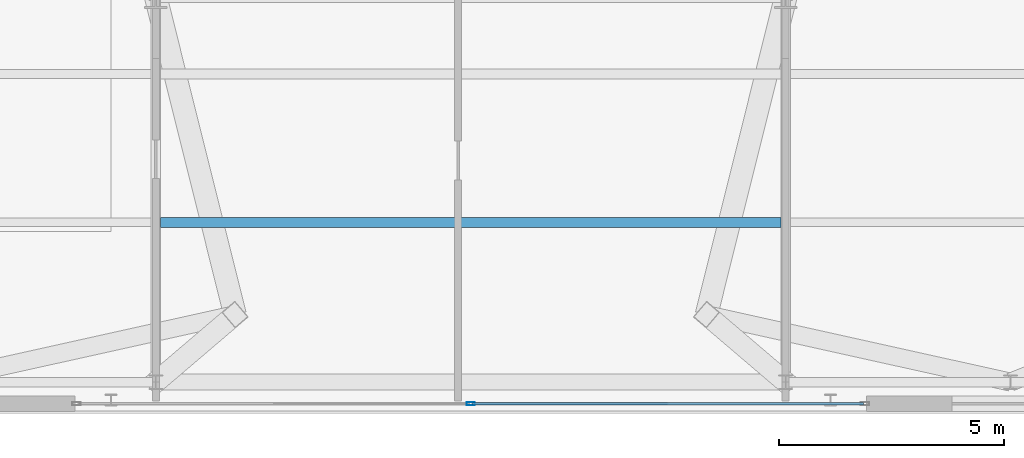
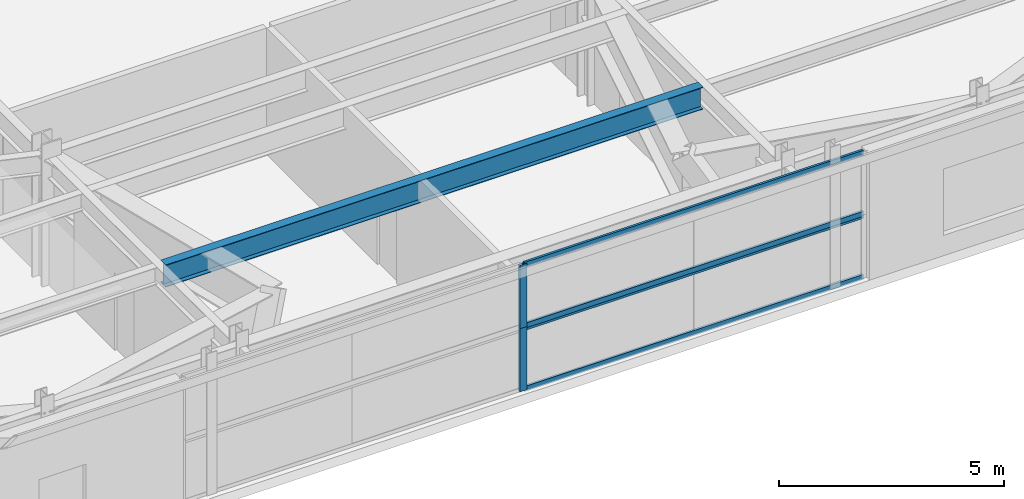
# One storey, part 11 of 27: 6 members, 1 beam, 2 elements without a shape of their own.
"""IFC4 building model written with IfcOpenShell, lengths in metres."""

from ifc_helpers import new_model, si_unit, direction, frame, origin, origin_2d, place, context, subcontext, project, spatial, hollow_rectangle, i_section, extrude, source, transform, mapped, material, layer, layer_set, material_profile, profile_set, type_object, element, aggregate, save


model = new_model("IFC4")

# Units and contexts
model_context = context("Model", 3, precision=1e-05, world=origin(), true_north=direction((0.0, 1.0)))
body_context = subcontext(model_context, "Body", "Model", "MODEL_VIEW")
ifc_project = project(units=[si_unit("LENGTHUNIT", "METRE"), si_unit("AREAUNIT", "SQUARE_METRE"), si_unit("VOLUMEUNIT", "CUBIC_METRE"), si_unit("PLANEANGLEUNIT", "RADIAN"), si_unit("MASSUNIT", "GRAM", prefix="KILO")], contexts=[model_context])

# Site, building, storey
site_placement = place(None, origin())
site = spatial("IfcSite", under=ifc_project, at=site_placement, CompositionType="ELEMENT")
building_placement = place(site_placement, origin())
building = spatial("IfcBuilding", under=site, at=building_placement, Name="Taldren Reach Tower", CompositionType="ELEMENT")
storey_placement = place(building_placement, frame((0.0, 0.0, 12.949951171875)))
storey = spatial("IfcBuildingStorey", under=building, at=storey_placement, Name="L03", CompositionType="ELEMENT", Elevation=12.949951171875)

# Beam
ifc_material_1 = material(Name="Steel Gr 350 (350PLUS)", Category="steel")
ifc_material_profile_1 = material_profile(ifc_material_1, i_section(OverallWidth=0.22802734375, OverallDepth=0.60205078125, WebThickness=0.010498046875, FlangeThickness=0.014892578125, at=origin_2d()), Name="610UB101")
ifc_profile_set_1 = profile_set([ifc_material_profile_1], Name="Steel Gr 350 (350PLUS)")
beam_type = type_object("IfcBeamType", Name="BM-UB610B", PredefinedType="BEAM", material=ifc_profile_set_1)
shared_shape_1 = source(origin(), body_context, "Body", "SweptSolid", [
    extrude(i_section(OverallWidth=0.22802734375, OverallDepth=0.60205078125, WebThickness=0.010498046875, FlangeThickness=0.014892578125, at=origin_2d()), origin(), (0.0, 0.0, 1.0), 13.791015625),
])
beam_placement = place(storey_placement, frame((28.1044921875, 4.199951171875, 3.129150390625), z_axis=(1.0, 0.0, 0.0), x_axis=(0.0, 1.0, 0.0)))
element("IfcBeam", 1, at=beam_placement, inside=storey, type_object=beam_type, Name="Podium composite floor beam L03-1.2", PredefinedType="BEAM", context=body_context, shape_type="MappedRepresentation", body=[
    mapped(shared_shape_1, transform((0.0, 0.0, 0.0), scale=1.0)),
])

# Curtain wall, members
ifc_material_2 = material(Name="Aluminium and Low-E Glass Unitised System", Category="aluminium")
ifc_layer = layer(ifc_material_2, 0.159912109375)
ifc_layer_set = layer_set([ifc_layer], Name="Aluminium and Low-E Glass Unitised System")
curtain_wall_type = type_object("IfcCurtainWallType", Name="CW-SYS-1", PredefinedType="NOTDEFINED", material=ifc_layer_set)
curtain_wall_1_placement = place(storey_placement, origin())
curtain_wall_1 = element("IfcCurtainWall", 2, at=curtain_wall_1_placement, inside=storey, type_object=curtain_wall_type, Name="Unitised curtain wall CW1-L03-S2", PredefinedType="NOTDEFINED")
ifc_material_3 = material(Name="Anodised Aluminium 6063-T6", Category="aluminium")
ifc_material_profile_2 = material_profile(ifc_material_3, hollow_rectangle(XDim=0.06005859375, YDim=0.135009765625, WallThickness=0.00341796875, at=origin_2d()), Name="ALU-135x60x3.5RHS")
ifc_profile_set_2 = profile_set([ifc_material_profile_2], Name="Anodised Aluminium 6063-T6")
member_type_1 = type_object("IfcMemberType", Name="CW-TRN-150", PredefinedType="USERDEFINED", material=ifc_profile_set_2)
shared_shape_2 = source(origin(), body_context, "Body", "SweptSolid", [
    extrude(hollow_rectangle(XDim=0.06005859375, YDim=0.135009765625, WallThickness=0.00341796875, at=origin_2d()), origin(), (0.0, 0.0, 1.0), 8.695068359375),
])
member_1_placement = place(storey_placement, frame((35.034912109375, 0.169921875, 0.030029296875), z_axis=(1.0, 0.0, 0.0), x_axis=(0.0, 1.0, 0.0)))
member_1 = element("IfcMember", 3, at=member_1_placement, type_object=member_type_1, Name="CW-1 transom 2.1", ObjectType="TRANSOM", PredefinedType="USERDEFINED", context=body_context, shape_type="MappedRepresentation", body=[
    mapped(shared_shape_2, transform((0.0, 0.0, 0.0), scale=1.0)),
])
member_2_placement = place(storey_placement, frame((35.034912109375, 0.169921875, 1.68505859375), z_axis=(1.0, 0.0, 0.0), x_axis=(0.0, 1.0, 0.0)))
member_2 = element("IfcMember", 4, at=member_2_placement, type_object=member_type_1, Name="CW-1 transom 2.2", ObjectType="TRANSOM", PredefinedType="USERDEFINED", context=body_context, shape_type="MappedRepresentation", body=[
    mapped(shared_shape_2, transform((0.0, 0.0, 0.0), scale=1.0)),
])

curtain_wall_2_placement = place(storey_placement, origin())
curtain_wall_2 = element("IfcCurtainWall", 5, at=curtain_wall_2_placement, inside=storey, type_object=curtain_wall_type, Name="Unitised curtain wall CW1-L03-S2-T2", PredefinedType="NOTDEFINED")
member_3_placement = place(storey_placement, frame((35.034912109375, 0.169921875, 1.7451171875), z_axis=(1.0, 0.0, 0.0), x_axis=(0.0, 1.0, 0.0)))
member_3 = element("IfcMember", 6, at=member_3_placement, type_object=member_type_1, Name="CW-1 transom 2.1", ObjectType="TRANSOM", PredefinedType="USERDEFINED", context=body_context, shape_type="MappedRepresentation", body=[
    mapped(shared_shape_2, transform((0.0, 0.0, 0.0), scale=1.0)),
])
member_4_placement = place(storey_placement, frame((35.034912109375, 0.169921875, 3.400146484375), z_axis=(1.0, 0.0, 0.0), x_axis=(0.0, 1.0, 0.0)))
member_4 = element("IfcMember", 7, at=member_4_placement, type_object=member_type_1, Name="CW-1 transom 2.2", ObjectType="TRANSOM", PredefinedType="USERDEFINED", context=body_context, shape_type="MappedRepresentation", body=[
    mapped(shared_shape_2, transform((0.0, 0.0, 0.0), scale=1.0)),
])

# Member
ifc_material_profile_3 = material_profile(ifc_material_3, hollow_rectangle(XDim=0.070068359375, YDim=0.179931640625, WallThickness=0.00390625, at=origin_2d()), Name="ALU-180x70x4RHS")
ifc_profile_set_3 = profile_set([ifc_material_profile_3], Name="Anodised Aluminium 6063-T6")
member_type_2 = type_object("IfcMemberType", Name="CW-MUL-180", PredefinedType="MULLION", material=ifc_profile_set_3)
shared_shape_3 = source(origin(), body_context, "Body", "SweptSolid", [
    extrude(hollow_rectangle(XDim=0.070068359375, YDim=0.179931640625, WallThickness=0.00390625, at=origin_2d()), origin(), (0.0, 0.0, 1.0), 1.715087890625),
])
member_5_placement = place(storey_placement, frame((35.0, 0.169921875, 0.0), z_axis=(0.0, 0.0, 1.0), x_axis=(0.0, 1.0, 0.0)))
member_5 = element("IfcMember", 8, at=member_5_placement, type_object=member_type_2, Name="CW-1 mullion 2", PredefinedType="MULLION", context=body_context, shape_type="MappedRepresentation", body=[
    mapped(shared_shape_3, transform((0.0, 0.0, 0.0), scale=1.0)),
])

aggregate(curtain_wall_1, [member_5, member_1, member_2])

shared_shape_4 = source(origin(), body_context, "Body", "SweptSolid", [
    extrude(hollow_rectangle(XDim=0.070068359375, YDim=0.179931640625, WallThickness=0.00390625, at=origin_2d()), origin(), (0.0, 0.0, 1.0), 1.71484375),
])
member_6_placement = place(storey_placement, frame((35.0, 0.169921875, 1.715087890625), z_axis=(0.0, 0.0, 1.0), x_axis=(0.0, 1.0, 0.0)))
member_6 = element("IfcMember", 9, at=member_6_placement, type_object=member_type_2, Name="CW-1 mullion 2", PredefinedType="MULLION", context=body_context, shape_type="MappedRepresentation", body=[
    mapped(shared_shape_4, transform((0.0, 0.0, 0.0), scale=1.0)),
])

aggregate(curtain_wall_2, [member_6, member_3, member_4])

save(model, "model.ifc")
